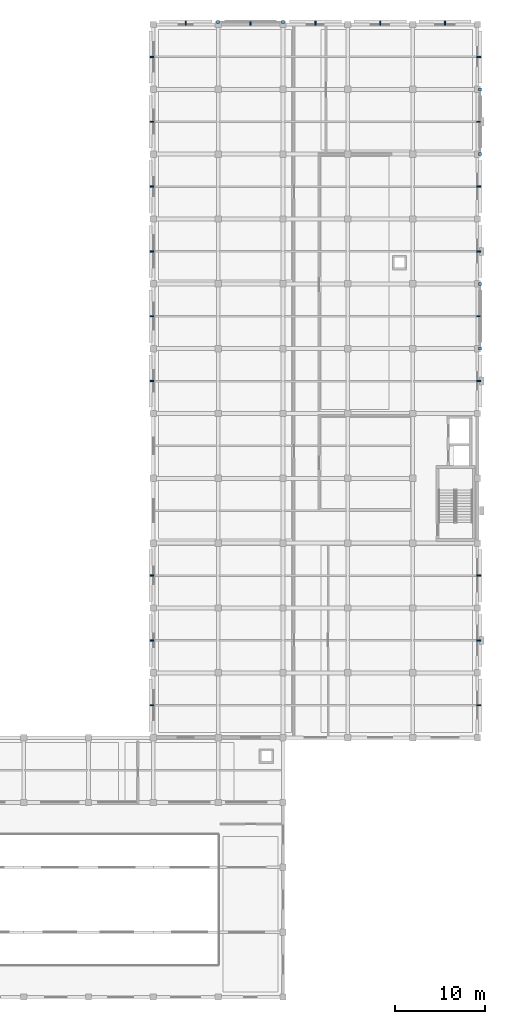
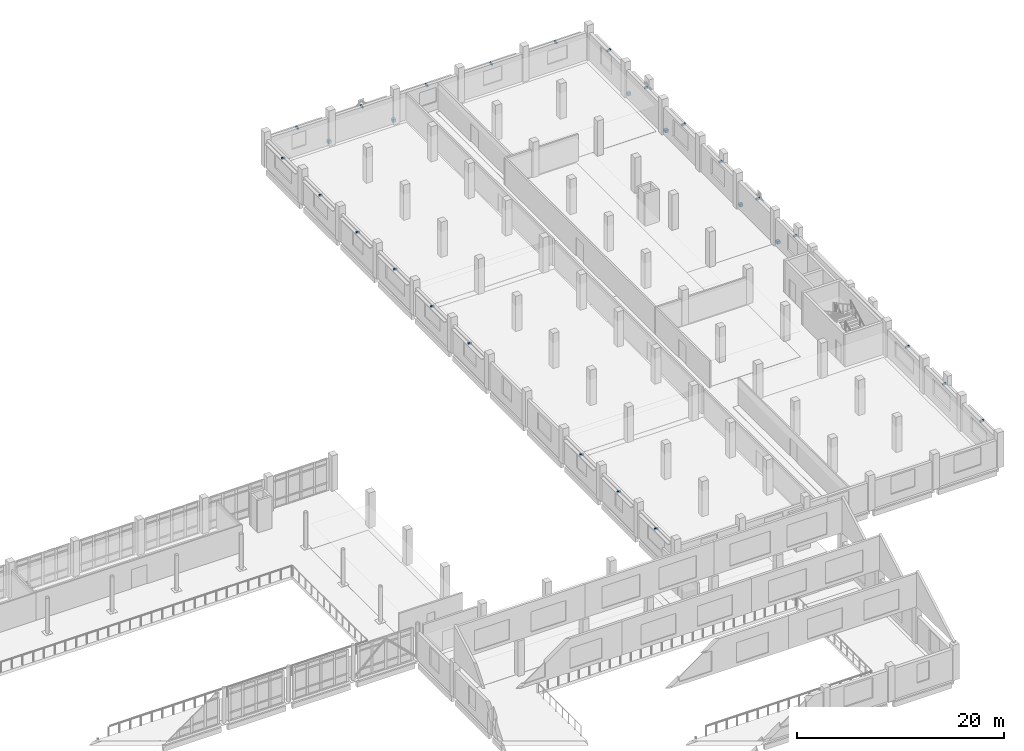
# One storey, part 51 of 62: 29 discrete accessories.
"""IFC4 building model written with IfcOpenShell, lengths in metres."""

from ifc_helpers import new_model, si_unit, direction, frame, origin, origin_2d, place, context, subcontext, project, spatial, rectangle, extrude, material, type_object, element, save


model = new_model("IFC4")

# Units and contexts
model_context = context("Model", 3, precision=1e-05, world=origin(), true_north=direction((0.0, 1.0)))
body_context = subcontext(model_context, "Body", "Model", "MODEL_VIEW")
ifc_project = project(units=[si_unit("LENGTHUNIT", "METRE"), si_unit("AREAUNIT", "SQUARE_METRE"), si_unit("VOLUMEUNIT", "CUBIC_METRE"), si_unit("PLANEANGLEUNIT", "RADIAN"), si_unit("MASSUNIT", "GRAM", prefix="KILO")], contexts=[model_context])

# Site, building, storey
site_placement = place(None, origin())
site = spatial("IfcSite", under=ifc_project, at=site_placement, CompositionType="ELEMENT")
building_placement = place(site_placement, origin())
building = spatial("IfcBuilding", under=site, at=building_placement, Name="Valkovuoma Quantum and Materials Research Institute", CompositionType="ELEMENT")
storey_placement = place(building_placement, frame((0.0, 0.0, 8.9599609375)))
storey = spatial("IfcBuildingStorey", under=building, at=storey_placement, Name="L02", CompositionType="ELEMENT", Elevation=8.9599609375)

# Discrete accessories
ifc_material_1 = material(Name="Steel S355J2", Category="steel")
discrete_accessory_type_1 = type_object("IfcDiscreteAccessoryType", Name="Brk-BRK-01", PredefinedType="BRACKET", material=ifc_material_1)
for number, where, z_axis, x_axis, name in (
    (1, (165.739990234375, 39.60009765625, 2.93994140625), (0.0, 0.0, 1.0), (1.0, 0.0, 0.0), "L02 sunshade bracket 00636"),
    (2, (129.4599609375, 39.60009765625, 2.93994140625), (0.0, 0.0, 1.0), (1.0, 0.0, 0.0), "L02 sunshade bracket 00637"),
    (3, (165.739990234375, 46.800048828125, 2.93994140625), (0.0, 0.0, 1.0), (1.0, 0.0, 0.0), "L02 sunshade bracket 00638"),
    (4, (129.4599609375, 46.800048828125, 2.93994140625), (0.0, 0.0, 1.0), (1.0, 0.0, 0.0), "L02 sunshade bracket 00639"),
    (5, (165.739990234375, 54.0, 2.93994140625), (0.0, 0.0, 1.0), (1.0, 0.0, 0.0), "L02 sunshade bracket 00640"),
    (6, (129.4599609375, 54.0, 2.93994140625), (0.0, 0.0, 1.0), (1.0, 0.0, 0.0), "L02 sunshade bracket 00641"),
    (7, (165.739990234375, 75.60009765625, 2.93994140625), (0.0, 0.0, 1.0), (1.0, 0.0, 0.0), "L02 sunshade bracket 00642"),
    (8, (129.4599609375, 75.60009765625, 2.93994140625), (0.0, 0.0, 1.0), (1.0, 0.0, 0.0), "L02 sunshade bracket 00643"),
    (9, (165.739990234375, 82.800048828125, 2.93994140625), (0.0, 0.0, 1.0), (1.0, 0.0, 0.0), "L02 sunshade bracket 00644"),
    (10, (129.4599609375, 82.800048828125, 2.93994140625), (0.0, 0.0, 1.0), (1.0, 0.0, 0.0), "L02 sunshade bracket 00645"),
    (11, (165.739990234375, 90.0, 2.93994140625), (0.0, 0.0, 1.0), (1.0, 0.0, 0.0), "L02 sunshade bracket 00646"),
    (12, (129.4599609375, 90.0, 2.93994140625), (0.0, 0.0, 1.0), (1.0, 0.0, 0.0), "L02 sunshade bracket 00647"),
    (13, (165.739990234375, 97.199951171875, 2.93994140625), (0.0, 0.0, 1.0), (1.0, 0.0, 0.0), "L02 sunshade bracket 00648"),
    (14, (129.4599609375, 97.199951171875, 2.93994140625), (0.0, 0.0, 1.0), (1.0, 0.0, 0.0), "L02 sunshade bracket 00649"),
    (15, (165.739990234375, 104.39990234375, 2.93994140625), (0.0, 0.0, 1.0), (1.0, 0.0, 0.0), "L02 sunshade bracket 00650"),
    (16, (129.4599609375, 104.39990234375, 2.93994140625), (0.0, 0.0, 1.0), (1.0, 0.0, 0.0), "L02 sunshade bracket 00651"),
    (17, (165.739990234375, 111.60009765625, 2.93994140625), (0.0, 0.0, 1.0), (1.0, 0.0, 0.0), "L02 sunshade bracket 00652"),
    (18, (129.4599609375, 111.60009765625, 2.93994140625), (0.0, 0.0, 1.0), (1.0, 0.0, 0.0), "L02 sunshade bracket 00653"),
):
    element("IfcDiscreteAccessory", number, at=place(storey_placement, frame(where, z_axis=z_axis, x_axis=x_axis)), inside=storey, type_object=discrete_accessory_type_1, Name=name, PredefinedType="BRACKET", context=body_context, shape_type="SweptSolid", body=[
        extrude(rectangle(XDim=0.39990234375, YDim=0.159912109375, at=origin_2d()), origin(), (0.0, 0.0, 1.0), 0.219970703125),
    ])
for number, where, z_axis, x_axis, name in (
    (19, (133.199951171875, 115.340087890625, 2.93994140625), (0.0, 0.0, 1.0), (1.0, 0.0, 0.0), "L02 north sunshade bracket 00654"),
    (20, (140.39990234375, 115.340087890625, 2.93994140625), (0.0, 0.0, 1.0), (1.0, 0.0, 0.0), "L02 north sunshade bracket 00655"),
    (21, (147.60009765625, 115.340087890625, 2.93994140625), (0.0, 0.0, 1.0), (1.0, 0.0, 0.0), "L02 north sunshade bracket 00656"),
    (22, (154.800048828125, 115.340087890625, 2.93994140625), (0.0, 0.0, 1.0), (1.0, 0.0, 0.0), "L02 north sunshade bracket 00657"),
    (23, (162.0, 115.340087890625, 2.93994140625), (0.0, 0.0, 1.0), (1.0, 0.0, 0.0), "L02 north sunshade bracket 00658"),
):
    element("IfcDiscreteAccessory", number, at=place(storey_placement, frame(where, z_axis=z_axis, x_axis=x_axis)), inside=storey, type_object=discrete_accessory_type_1, Name=name, PredefinedType="BRACKET", context=body_context, shape_type="SweptSolid", body=[
        extrude(rectangle(XDim=0.159912109375, YDim=0.39990234375, at=origin_2d()), origin(), (0.0, 0.0, 1.0), 0.219970703125),
    ])
ifc_material_2 = material(Name="Steel S355J2", Category="steel")
discrete_accessory_type_2 = type_object("IfcDiscreteAccessoryType", Name="Conn-END-01", PredefinedType="BRACKET", material=ifc_material_2)
for number, where, z_axis, x_axis, name in (
    (24, (165.89990234375, 79.199951171875, -0.06982421875), (0.0, 0.0, 1.0), (1.0, 0.0, 0.0), "L02 brace end connection assembly 0292"),
    (25, (165.89990234375, 86.39990234375, -0.06982421875), (0.0, 0.0, 1.0), (1.0, 0.0, 0.0), "L02 brace end connection assembly 0293"),
    (26, (165.89990234375, 100.800048828125, -0.06982421875), (0.0, 0.0, 1.0), (1.0, 0.0, 0.0), "L02 brace end connection assembly 0304"),
    (27, (165.89990234375, 108.0, -0.06982421875), (0.0, 0.0, 1.0), (1.0, 0.0, 0.0), "L02 brace end connection assembly 0305"),
    (28, (136.800048828125, 115.5, -0.06982421875), (0.0, 0.0, 1.0), (1.0, 0.0, 0.0), "L02 brace end connection assembly 0316"),
    (29, (144.0, 115.5, -0.06982421875), (0.0, 0.0, 1.0), (1.0, 0.0, 0.0), "L02 brace end connection assembly 0317"),
):
    element("IfcDiscreteAccessory", number, at=place(storey_placement, frame(where, z_axis=z_axis, x_axis=x_axis)), inside=storey, type_object=discrete_accessory_type_2, Name=name, PredefinedType="BRACKET", context=body_context, shape_type="SweptSolid", body=[
        extrude(rectangle(XDim=0.340087890625, YDim=0.340087890625, at=origin_2d()), origin(), (0.0, 0.0, 1.0), 0.340087890625),
    ])

save(model, "model.ifc")
